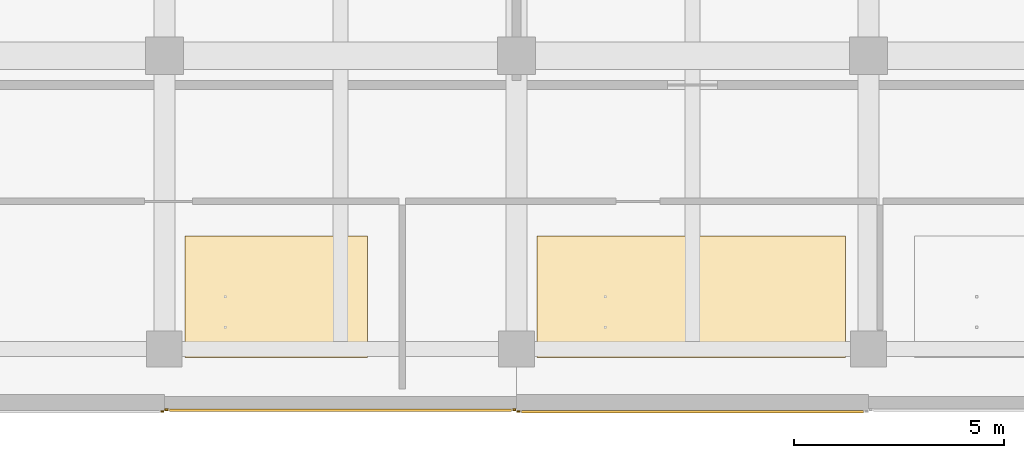
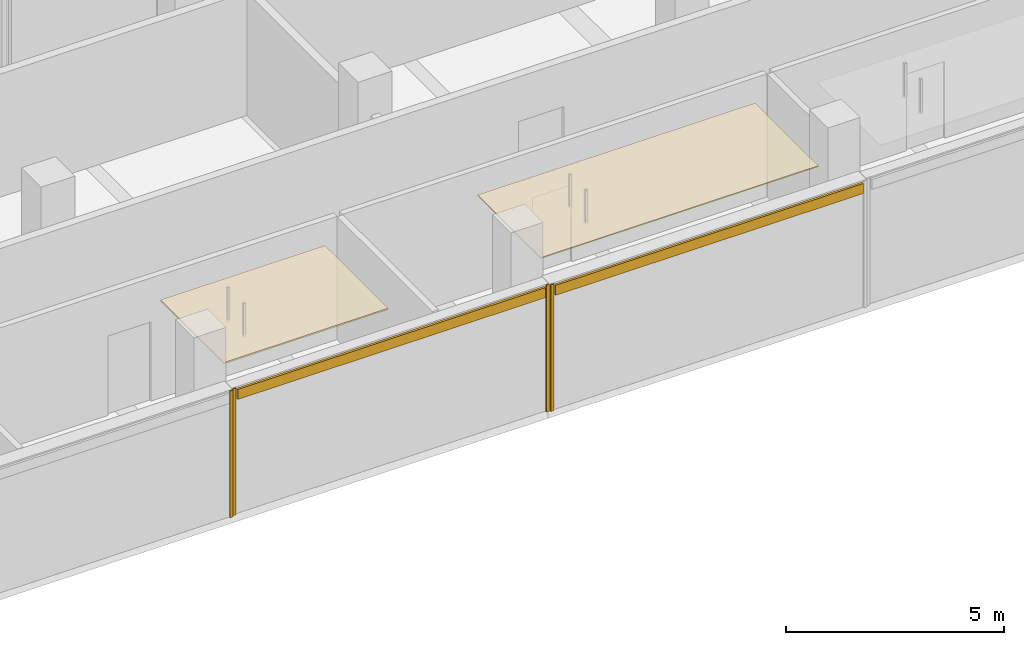
# One storey, part 25 of 36: 8 coverings.
"""IFC4 building model written with IfcOpenShell, lengths in metres."""

from ifc_helpers import new_model, si_unit, direction, frame, origin, origin_2d, place, context, subcontext, project, spatial, polyline, rectangle, outline, extrude, material, layer, layer_set, type_object, element, save


model = new_model("IFC4")

# Units and contexts
model_context = context("Model", 3, precision=1e-05, world=origin(), true_north=direction((0.0, 1.0)))
body_context = subcontext(model_context, "Body", "Model", "MODEL_VIEW")
ifc_project = project(units=[si_unit("LENGTHUNIT", "METRE"), si_unit("AREAUNIT", "SQUARE_METRE"), si_unit("VOLUMEUNIT", "CUBIC_METRE"), si_unit("PLANEANGLEUNIT", "RADIAN"), si_unit("MASSUNIT", "GRAM", prefix="KILO")], contexts=[model_context])

# Site, building, storey
site_placement = place(None, origin())
site = spatial("IfcSite", under=ifc_project, at=site_placement, CompositionType="ELEMENT")
building_placement = place(site_placement, origin())
building = spatial("IfcBuilding", under=site, at=building_placement, Name="Telukmera Botanical Conservatory", CompositionType="ELEMENT")
storey_placement = place(building_placement, frame((0.0, 0.0, 24.0)))
storey = spatial("IfcBuildingStorey", under=building, at=storey_placement, Name="L05", CompositionType="ELEMENT", Elevation=24.0)

# Coverings
ifc_material_1 = material(Name="Mineral fibre acoustic ceiling")
ifc_layer_1 = layer(ifc_material_1, 0.030029296875)
ifc_layer_set_1 = layer_set([ifc_layer_1], Name="Mineral fibre acoustic ceiling")
covering_type_1 = type_object("IfcCoveringType", Name="COV-CEIL-30", PredefinedType="CEILING", material=ifc_layer_set_1)
covering_1_placement = place(storey_placement, frame((0.0, 0.0, 3.320068359375)))
element("IfcCovering", 1, at=covering_1_placement, inside=storey, type_object=covering_type_1, Name="L05 Herbarium Digitization Studio Suspended Acoustic Ceiling", PredefinedType="CEILING", context=body_context, shape_type="SweptSolid", body=[
    extrude(outline(polyline([(76.094970703125, 10.39990234375), (83.449951171875, 10.39990234375), (83.449951171875, 13.300048828125), (76.094970703125, 13.300048828125), (76.094970703125, 10.39990234375)])), origin(), (0.0, 0.0, 1.0), 0.030029296875),
])
ifc_material_2 = material(Name="Perforated gypsum acoustic ceiling")
ifc_layer_2 = layer(ifc_material_2, 0.0400390625)
ifc_layer_set_2 = layer_set([ifc_layer_2], Name="Perforated gypsum acoustic ceiling")
covering_type_2 = type_object("IfcCoveringType", Name="COV-CEIL-40", PredefinedType="CEILING", material=ifc_layer_set_2)
covering_2_placement = place(storey_placement, frame((0.0, 0.0, 3.31005859375)))
element("IfcCovering", 2, at=covering_2_placement, inside=storey, type_object=covering_type_2, Name="L05 Mycology Herbarium Studio Suspended Acoustic Ceiling", PredefinedType="CEILING", context=body_context, shape_type="SweptSolid", body=[
    extrude(outline(polyline([(67.695068359375, 10.39990234375), (72.050048828125, 10.39990234375), (72.050048828125, 13.300048828125), (67.695068359375, 13.300048828125), (67.695068359375, 10.39990234375)])), origin(), (0.0, 0.0, 1.0), 0.0400390625),
])
ifc_material_3 = material(Name="Granite-faced precast concrete C40/50", Category="masonry")
ifc_layer_3 = layer(ifc_material_3, 0.0400390625)
ifc_layer_set_3 = layer_set([ifc_layer_3], Name="Granite-faced precast concrete C40/50")
covering_type_3 = type_object("IfcCoveringType", Name="Granite Precast Column Pier Reveal Casing", PredefinedType="CLADDING", material=ifc_layer_set_3)
for number, where, z_axis, x_axis, name in (
    (3, (67.14794921875, 9.110107421875, 0.0), (0.0, 0.0, 1.0), (1.0, 0.0, 0.0), "Granite Pier Reveal V4:L05:S2 R"),
    (4, (67.251953125, 9.14990234375, 0.0), (0.0, 0.0, 1.0), (1.0, 0.0, 0.0), "Granite Pier Reveal V4:L05:S3 L"),
    (5, (75.548095703125, 9.14990234375, 0.0), (0.0, 0.0, 1.0), (1.0, 0.0, 0.0), "Granite Pier Reveal V4:L05:S3 R"),
    (6, (75.652099609375, 9.110107421875, 0.0), (0.0, 0.0, 1.0), (1.0, 0.0, 0.0), "Granite Pier Reveal V4:L05:S4 L"),
):
    element("IfcCovering", number, at=place(storey_placement, frame(where, z_axis=z_axis, x_axis=x_axis)), inside=storey, type_object=covering_type_3, Name=name, PredefinedType="CLADDING", context=body_context, shape_type="SweptSolid", body=[
        extrude(rectangle(XDim=0.080078125, YDim=0.0400390625, at=origin_2d()), origin(), (0.0, 0.0, 1.0), 3.550048828125),
    ])
ifc_material_4 = material(Name="Terracotta-faced precast concrete C40/50", Category="masonry")
ifc_layer_4 = layer(ifc_material_4, 0.06005859375)
ifc_layer_set_4 = layer_set([ifc_layer_4], Name="Terracotta-faced precast concrete C40/50")
covering_type_4 = type_object("IfcCoveringType", Name="Polychrome Terracotta Facade Band Cladding", PredefinedType="CLADDING", material=ifc_layer_set_4)
for number, where, z_axis, x_axis, name in (
    (7, (71.39990234375, 9.139892578125, 3.22998046875), (0.0, 0.0, 1.0), (1.0, 0.0, 0.0), "Polychrome Terracotta Band V4:L05:S3"),
    (8, (79.800048828125, 9.10009765625, 3.22998046875), (0.0, 0.0, 1.0), (1.0, 0.0, 0.0), "Polychrome Terracotta Band V4:L05:S4"),
):
    element("IfcCovering", number, at=place(storey_placement, frame(where, z_axis=z_axis, x_axis=x_axis)), inside=storey, type_object=covering_type_4, Name=name, PredefinedType="CLADDING", context=body_context, shape_type="SweptSolid", body=[
        extrude(rectangle(XDim=8.156005859375, YDim=0.06005859375, at=origin_2d()), origin(), (0.0, 0.0, 1.0), 0.280029296875),
    ])

save(model, "model.ifc")
